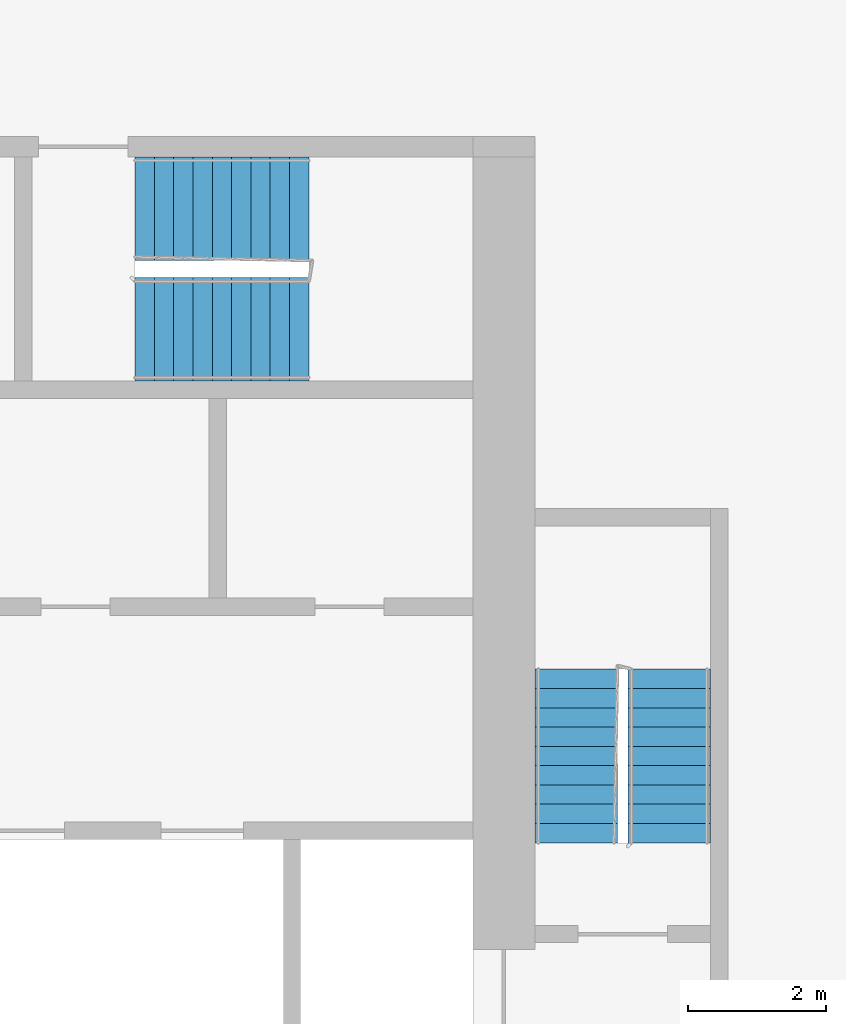
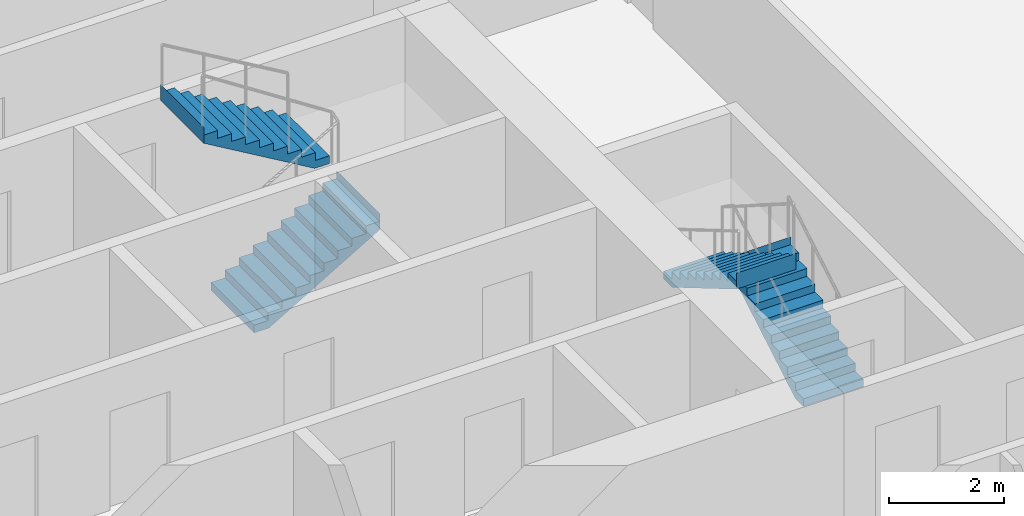
# One storey, part 10 of 11: 4 stair flights, 2 elements without a shape of their own.
"""IFC4 building model written with IfcOpenShell, lengths in metres."""

from ifc_helpers import new_model, si_unit, direction, frame, origin, place, context, subcontext, project, spatial, faceted_brep, material, type_object, element, aggregate, save


model = new_model("IFC4")

# Units and contexts
model_context = context("Model", 3, precision=1e-05, world=origin(), true_north=direction((0.0, 1.0)))
body_context = subcontext(model_context, "Body", "Model", "MODEL_VIEW")
ifc_project = project(units=[si_unit("LENGTHUNIT", "METRE"), si_unit("AREAUNIT", "SQUARE_METRE"), si_unit("VOLUMEUNIT", "CUBIC_METRE"), si_unit("PLANEANGLEUNIT", "RADIAN"), si_unit("MASSUNIT", "GRAM", prefix="KILO")], contexts=[model_context])

# Site, building, storey
site_placement = place(None, origin())
site = spatial("IfcSite", under=ifc_project, at=site_placement, CompositionType="ELEMENT")
building_placement = place(site_placement, origin())
building = spatial("IfcBuilding", under=site, at=building_placement, Name="Kajstack Hotel Tower", CompositionType="ELEMENT")
storey_placement = place(building_placement, frame((0.0, 0.0, 244.10009765625)))
storey = spatial("IfcBuildingStorey", under=building, at=storey_placement, Name="L60", CompositionType="ELEMENT", Elevation=244.10009765625)

# Stair, stair flights
ifc_material = material(Name="Concrete C40/50", Category="concrete")
stair_type_1 = type_object("IfcStairType", Name="Exit stair 1200", PredefinedType="HALF_TURN_STAIR", material=ifc_material)
stair_1_placement = place(storey_placement, origin())
stair_1 = element("IfcStair", 1, at=stair_1_placement, inside=storey, type_object=stair_type_1, Name="L60 stair E1", PredefinedType="HALF_TURN_STAIR")
stair_flight_type_1 = type_object("IfcStairFlightType", Name="Exit stair flight 1200", PredefinedType="STRAIGHT", material=ifc_material)
stair_flight_1_placement = place(storey_placement, frame((33.449951171875, 5.25, 0.0), z_axis=(0.0, 0.0, 1.0), x_axis=(0.0, 1.0, 0.0)))
stair_flight_1 = element("IfcStairFlight", 2, at=stair_flight_1_placement, type_object=stair_flight_type_1, Name="E1 flight 1", NumberOfRisers=10, NumberOfTreads=9, PredefinedType="STRAIGHT", RiserHeight=0.165, TreadLength=0.28, context=body_context, shape_type="Brep", body=[
    faceted_brep([(0.295654296875, -0.60009765625, 0.0), (2.5205078125, -0.60009765625, 1.31103515625), (2.5205078125, -0.60009765625, 1.64990234375), (2.52001953125, -0.60009765625, 1.64990234375), (2.52001953125, -0.60009765625, 1.485107421875), (2.239990234375, -0.60009765625, 1.485107421875), (2.239990234375, -0.60009765625, 1.320068359375), (1.9599609375, -0.60009765625, 1.320068359375), (1.9599609375, -0.60009765625, 1.155029296875), (1.679931640625, -0.60009765625, 1.155029296875), (1.679931640625, -0.60009765625, 0.989990234375), (1.39990234375, -0.60009765625, 0.989990234375), (1.39990234375, -0.60009765625, 0.824951171875), (1.1201171875, -0.60009765625, 0.824951171875), (1.1201171875, -0.60009765625, 0.659912109375), (0.840087890625, -0.60009765625, 0.659912109375), (0.840087890625, -0.60009765625, 0.4951171875), (0.56005859375, -0.60009765625, 0.4951171875), (0.56005859375, -0.60009765625, 0.330078125), (0.280029296875, -0.60009765625, 0.330078125), (0.280029296875, -0.60009765625, 0.1650390625), (-0.00048828125, -0.60009765625, 0.1650390625), (-0.00048828125, -0.60009765625, 0.0), (-0.00048828125, 0.60009765625, 0.0), (-0.00048828125, 0.60009765625, 0.1650390625), (0.280029296875, 0.60009765625, 0.1650390625), (0.280029296875, 0.60009765625, 0.330078125), (0.56005859375, 0.60009765625, 0.330078125), (0.56005859375, 0.60009765625, 0.4951171875), (0.840087890625, 0.60009765625, 0.4951171875), (0.840087890625, 0.60009765625, 0.659912109375), (1.1201171875, 0.60009765625, 0.659912109375), (1.1201171875, 0.60009765625, 0.824951171875), (1.39990234375, 0.60009765625, 0.824951171875), (1.39990234375, 0.60009765625, 0.989990234375), (1.679931640625, 0.60009765625, 0.989990234375), (1.679931640625, 0.60009765625, 1.155029296875), (1.9599609375, 0.60009765625, 1.155029296875), (1.9599609375, 0.60009765625, 1.320068359375), (2.239990234375, 0.60009765625, 1.320068359375), (2.239990234375, 0.60009765625, 1.485107421875), (2.52001953125, 0.60009765625, 1.485107421875), (2.52001953125, 0.60009765625, 1.64990234375), (2.5205078125, 0.60009765625, 1.64990234375), (2.5205078125, 0.60009765625, 1.31103515625), (0.295654296875, 0.60009765625, 0.0), (-0.00048828125, -0.300048828125, 0.1650390625), (-0.00048828125, 0.0, 0.1650390625), (-0.00048828125, 0.300048828125, 0.1650390625), (-0.00048828125, 0.300048828125, 0.0), (-0.00048828125, 0.0, 0.0), (-0.00048828125, -0.300048828125, 0.0), (0.280029296875, -0.300048828125, 0.1650390625), (0.280029296875, 0.0, 0.1650390625), (0.280029296875, 0.300048828125, 0.1650390625), (0.280029296875, -0.300048828125, 0.330078125), (0.280029296875, 0.0, 0.330078125), (0.280029296875, 0.300048828125, 0.330078125), (0.56005859375, -0.300048828125, 0.330078125), (0.56005859375, 0.0, 0.330078125), (0.56005859375, 0.300048828125, 0.330078125), (0.56005859375, -0.300048828125, 0.4951171875), (0.56005859375, 0.0, 0.4951171875), (0.56005859375, 0.300048828125, 0.4951171875), (0.840087890625, -0.300048828125, 0.4951171875), (0.840087890625, 0.0, 0.4951171875), (0.840087890625, 0.300048828125, 0.4951171875), (0.840087890625, -0.300048828125, 0.659912109375), (0.840087890625, 0.0, 0.659912109375), (0.840087890625, 0.300048828125, 0.659912109375), (1.1201171875, -0.300048828125, 0.659912109375), (1.1201171875, 0.0, 0.659912109375), (1.1201171875, 0.300048828125, 0.659912109375), (1.1201171875, -0.300048828125, 0.824951171875), (1.1201171875, 0.0, 0.824951171875), (1.1201171875, 0.300048828125, 0.824951171875), (1.39990234375, -0.300048828125, 0.824951171875), (1.39990234375, 0.0, 0.824951171875), (1.39990234375, 0.300048828125, 0.824951171875), (1.39990234375, -0.300048828125, 0.989990234375), (1.39990234375, 0.0, 0.989990234375), (1.39990234375, 0.300048828125, 0.989990234375), (1.679931640625, -0.300048828125, 0.989990234375), (1.679931640625, 0.0, 0.989990234375), (1.679931640625, 0.300048828125, 0.989990234375), (1.679931640625, -0.300048828125, 1.155029296875), (1.679931640625, 0.0, 1.155029296875), (1.679931640625, 0.300048828125, 1.155029296875), (1.9599609375, -0.300048828125, 1.155029296875), (1.9599609375, 0.0, 1.155029296875), (1.9599609375, 0.300048828125, 1.155029296875), (1.9599609375, -0.300048828125, 1.320068359375), (1.9599609375, 0.0, 1.320068359375), (1.9599609375, 0.300048828125, 1.320068359375), (2.239990234375, -0.300048828125, 1.320068359375), (2.239990234375, 0.0, 1.320068359375), (2.239990234375, 0.300048828125, 1.320068359375), (2.239990234375, -0.300048828125, 1.485107421875), (2.239990234375, 0.0, 1.485107421875), (2.239990234375, 0.300048828125, 1.485107421875), (2.52001953125, -0.300048828125, 1.485107421875), (2.52001953125, 0.0, 1.485107421875), (2.52001953125, 0.300048828125, 1.485107421875), (2.52001953125, -0.300048828125, 1.64990234375), (2.52001953125, 0.0, 1.64990234375), (2.52001953125, 0.300048828125, 1.64990234375), (2.5205078125, -0.300048828125, 1.64990234375), (2.5205078125, 0.0, 1.64990234375), (2.5205078125, 0.300048828125, 1.64990234375), (2.5205078125, -0.300048828125, 1.31103515625), (2.5205078125, 0.0, 1.31103515625), (2.5205078125, 0.300048828125, 1.31103515625), (0.295654296875, -0.300048828125, 0.0), (0.295654296875, 0.0, 0.0), (0.295654296875, 0.300048828125, 0.0)], [[[0, 1, 2, 3, 4, 5, 6, 7, 8, 9, 10, 11, 12, 13, 14, 15, 16, 17, 18, 19, 20, 21, 22]], [[23, 24, 25, 26, 27, 28, 29, 30, 31, 32, 33, 34, 35, 36, 37, 38, 39, 40, 41, 42, 43, 44, 45]], [[21, 46, 47, 48, 24, 23, 49, 50, 51, 22]], [[20, 52, 53, 54, 25, 24, 48, 47, 46, 21]], [[19, 55, 56, 57, 26, 25, 54, 53, 52, 20]], [[18, 58, 59, 60, 27, 26, 57, 56, 55, 19]], [[17, 61, 62, 63, 28, 27, 60, 59, 58, 18]], [[16, 64, 65, 66, 29, 28, 63, 62, 61, 17]], [[15, 67, 68, 69, 30, 29, 66, 65, 64, 16]], [[14, 70, 71, 72, 31, 30, 69, 68, 67, 15]], [[13, 73, 74, 75, 32, 31, 72, 71, 70, 14]], [[12, 76, 77, 78, 33, 32, 75, 74, 73, 13]], [[11, 79, 80, 81, 34, 33, 78, 77, 76, 12]], [[10, 82, 83, 84, 35, 34, 81, 80, 79, 11]], [[9, 85, 86, 87, 36, 35, 84, 83, 82, 10]], [[8, 88, 89, 90, 37, 36, 87, 86, 85, 9]], [[7, 91, 92, 93, 38, 37, 90, 89, 88, 8]], [[6, 94, 95, 96, 39, 38, 93, 92, 91, 7]], [[5, 97, 98, 99, 40, 39, 96, 95, 94, 6]], [[4, 100, 101, 102, 41, 40, 99, 98, 97, 5]], [[3, 103, 104, 105, 42, 41, 102, 101, 100, 4]], [[2, 106, 107, 108, 43, 42, 105, 104, 103, 3]], [[1, 109, 110, 111, 44, 43, 108, 107, 106, 2]], [[0, 112, 113, 114, 45, 44, 111, 110, 109, 1]], [[22, 51, 50, 49, 23, 45, 114, 113, 112, 0]]]),
])
stair_flight_2_placement = place(storey_placement, frame((32.10009765625, 7.77001953125, 1.64990234375), z_axis=(0.0, 0.0, 1.0), x_axis=(0.0, -1.0, 0.0)))
stair_flight_2 = element("IfcStairFlight", 3, at=stair_flight_2_placement, type_object=stair_flight_type_1, Name="E1 flight 2", NumberOfRisers=10, NumberOfTreads=9, PredefinedType="STRAIGHT", RiserHeight=0.165, TreadLength=0.28, context=body_context, shape_type="Brep", body=[
    faceted_brep([(0.295654296875, -0.60009765625, 0.0), (2.5205078125, -0.60009765625, 1.31103515625), (2.5205078125, -0.60009765625, 1.64990234375), (2.52001953125, -0.60009765625, 1.64990234375), (2.52001953125, -0.60009765625, 1.485107421875), (2.239990234375, -0.60009765625, 1.485107421875), (2.239990234375, -0.60009765625, 1.320068359375), (1.9599609375, -0.60009765625, 1.320068359375), (1.9599609375, -0.60009765625, 1.155029296875), (1.679931640625, -0.60009765625, 1.155029296875), (1.679931640625, -0.60009765625, 0.989990234375), (1.39990234375, -0.60009765625, 0.989990234375), (1.39990234375, -0.60009765625, 0.824951171875), (1.1201171875, -0.60009765625, 0.824951171875), (1.1201171875, -0.60009765625, 0.659912109375), (0.840087890625, -0.60009765625, 0.659912109375), (0.840087890625, -0.60009765625, 0.4951171875), (0.56005859375, -0.60009765625, 0.4951171875), (0.56005859375, -0.60009765625, 0.330078125), (0.280029296875, -0.60009765625, 0.330078125), (0.280029296875, -0.60009765625, 0.1650390625), (-0.00048828125, -0.60009765625, 0.1650390625), (-0.00048828125, -0.60009765625, 0.0), (-0.00048828125, 0.60009765625, 0.0), (-0.00048828125, 0.60009765625, 0.1650390625), (0.280029296875, 0.60009765625, 0.1650390625), (0.280029296875, 0.60009765625, 0.330078125), (0.56005859375, 0.60009765625, 0.330078125), (0.56005859375, 0.60009765625, 0.4951171875), (0.840087890625, 0.60009765625, 0.4951171875), (0.840087890625, 0.60009765625, 0.659912109375), (1.1201171875, 0.60009765625, 0.659912109375), (1.1201171875, 0.60009765625, 0.824951171875), (1.39990234375, 0.60009765625, 0.824951171875), (1.39990234375, 0.60009765625, 0.989990234375), (1.679931640625, 0.60009765625, 0.989990234375), (1.679931640625, 0.60009765625, 1.155029296875), (1.9599609375, 0.60009765625, 1.155029296875), (1.9599609375, 0.60009765625, 1.320068359375), (2.239990234375, 0.60009765625, 1.320068359375), (2.239990234375, 0.60009765625, 1.485107421875), (2.52001953125, 0.60009765625, 1.485107421875), (2.52001953125, 0.60009765625, 1.64990234375), (2.5205078125, 0.60009765625, 1.64990234375), (2.5205078125, 0.60009765625, 1.31103515625), (0.295654296875, 0.60009765625, 0.0), (-0.00048828125, -0.300048828125, 0.1650390625), (-0.00048828125, 0.0, 0.1650390625), (-0.00048828125, 0.300048828125, 0.1650390625), (-0.00048828125, 0.300048828125, 0.0), (-0.00048828125, 0.0, 0.0), (-0.00048828125, -0.300048828125, 0.0), (0.280029296875, -0.300048828125, 0.1650390625), (0.280029296875, 0.0, 0.1650390625), (0.280029296875, 0.300048828125, 0.1650390625), (0.280029296875, -0.300048828125, 0.330078125), (0.280029296875, 0.0, 0.330078125), (0.280029296875, 0.300048828125, 0.330078125), (0.56005859375, -0.300048828125, 0.330078125), (0.56005859375, 0.0, 0.330078125), (0.56005859375, 0.300048828125, 0.330078125), (0.56005859375, -0.300048828125, 0.4951171875), (0.56005859375, 0.0, 0.4951171875), (0.56005859375, 0.300048828125, 0.4951171875), (0.840087890625, -0.300048828125, 0.4951171875), (0.840087890625, 0.0, 0.4951171875), (0.840087890625, 0.300048828125, 0.4951171875), (0.840087890625, -0.300048828125, 0.659912109375), (0.840087890625, 0.0, 0.659912109375), (0.840087890625, 0.300048828125, 0.659912109375), (1.1201171875, -0.300048828125, 0.659912109375), (1.1201171875, 0.0, 0.659912109375), (1.1201171875, 0.300048828125, 0.659912109375), (1.1201171875, -0.300048828125, 0.824951171875), (1.1201171875, 0.0, 0.824951171875), (1.1201171875, 0.300048828125, 0.824951171875), (1.39990234375, -0.300048828125, 0.824951171875), (1.39990234375, 0.0, 0.824951171875), (1.39990234375, 0.300048828125, 0.824951171875), (1.39990234375, -0.300048828125, 0.989990234375), (1.39990234375, 0.0, 0.989990234375), (1.39990234375, 0.300048828125, 0.989990234375), (1.679931640625, -0.300048828125, 0.989990234375), (1.679931640625, 0.0, 0.989990234375), (1.679931640625, 0.300048828125, 0.989990234375), (1.679931640625, -0.300048828125, 1.155029296875), (1.679931640625, 0.0, 1.155029296875), (1.679931640625, 0.300048828125, 1.155029296875), (1.9599609375, -0.300048828125, 1.155029296875), (1.9599609375, 0.0, 1.155029296875), (1.9599609375, 0.300048828125, 1.155029296875), (1.9599609375, -0.300048828125, 1.320068359375), (1.9599609375, 0.0, 1.320068359375), (1.9599609375, 0.300048828125, 1.320068359375), (2.239990234375, -0.300048828125, 1.320068359375), (2.239990234375, 0.0, 1.320068359375), (2.239990234375, 0.300048828125, 1.320068359375), (2.239990234375, -0.300048828125, 1.485107421875), (2.239990234375, 0.0, 1.485107421875), (2.239990234375, 0.300048828125, 1.485107421875), (2.52001953125, -0.300048828125, 1.485107421875), (2.52001953125, 0.0, 1.485107421875), (2.52001953125, 0.300048828125, 1.485107421875), (2.52001953125, -0.300048828125, 1.64990234375), (2.52001953125, 0.0, 1.64990234375), (2.52001953125, 0.300048828125, 1.64990234375), (2.5205078125, -0.300048828125, 1.64990234375), (2.5205078125, 0.0, 1.64990234375), (2.5205078125, 0.300048828125, 1.64990234375), (2.5205078125, -0.300048828125, 1.31103515625), (2.5205078125, 0.0, 1.31103515625), (2.5205078125, 0.300048828125, 1.31103515625), (0.295654296875, -0.300048828125, 0.0), (0.295654296875, 0.0, 0.0), (0.295654296875, 0.300048828125, 0.0)], [[[0, 1, 2, 3, 4, 5, 6, 7, 8, 9, 10, 11, 12, 13, 14, 15, 16, 17, 18, 19, 20, 21, 22]], [[23, 24, 25, 26, 27, 28, 29, 30, 31, 32, 33, 34, 35, 36, 37, 38, 39, 40, 41, 42, 43, 44, 45]], [[21, 46, 47, 48, 24, 23, 49, 50, 51, 22]], [[20, 52, 53, 54, 25, 24, 48, 47, 46, 21]], [[19, 55, 56, 57, 26, 25, 54, 53, 52, 20]], [[18, 58, 59, 60, 27, 26, 57, 56, 55, 19]], [[17, 61, 62, 63, 28, 27, 60, 59, 58, 18]], [[16, 64, 65, 66, 29, 28, 63, 62, 61, 17]], [[15, 67, 68, 69, 30, 29, 66, 65, 64, 16]], [[14, 70, 71, 72, 31, 30, 69, 68, 67, 15]], [[13, 73, 74, 75, 32, 31, 72, 71, 70, 14]], [[12, 76, 77, 78, 33, 32, 75, 74, 73, 13]], [[11, 79, 80, 81, 34, 33, 78, 77, 76, 12]], [[10, 82, 83, 84, 35, 34, 81, 80, 79, 11]], [[9, 85, 86, 87, 36, 35, 84, 83, 82, 10]], [[8, 88, 89, 90, 37, 36, 87, 86, 85, 9]], [[7, 91, 92, 93, 38, 37, 90, 89, 88, 8]], [[6, 94, 95, 96, 39, 38, 93, 92, 91, 7]], [[5, 97, 98, 99, 40, 39, 96, 95, 94, 6]], [[4, 100, 101, 102, 41, 40, 99, 98, 97, 5]], [[3, 103, 104, 105, 42, 41, 102, 101, 100, 4]], [[2, 106, 107, 108, 43, 42, 105, 104, 103, 3]], [[1, 109, 110, 111, 44, 43, 108, 107, 106, 2]], [[0, 112, 113, 114, 45, 44, 111, 110, 109, 1]], [[22, 51, 50, 49, 23, 45, 114, 113, 112, 0]]]),
])
aggregate(stair_1, [stair_flight_1, stair_flight_2])

stair_type_2 = type_object("IfcStairType", Name="Exit stair 1500", PredefinedType="HALF_TURN_STAIR", material=ifc_material)
stair_2_placement = place(storey_placement, origin())
stair_2 = element("IfcStair", 4, at=stair_2_placement, inside=storey, type_object=stair_type_2, Name="L60 stair E3", PredefinedType="HALF_TURN_STAIR")
stair_flight_type_2 = type_object("IfcStairFlightType", Name="Exit stair flight 1500", PredefinedType="STRAIGHT", material=ifc_material)
stair_flight_3_placement = place(storey_placement, frame((25.699951171875, 12.699951171875, 0.0), z_axis=(0.0, 0.0, 1.0), x_axis=(1.0, 0.0, 0.0)))
stair_flight_3 = element("IfcStairFlight", 5, at=stair_flight_3_placement, type_object=stair_flight_type_2, Name="E3 flight 1", NumberOfRisers=10, NumberOfTreads=9, PredefinedType="STRAIGHT", RiserHeight=0.165, TreadLength=0.28, context=body_context, shape_type="Brep", body=[
    faceted_brep([(0.295654296875, -0.75, 0.0), (2.5205078125, -0.75, 1.31103515625), (2.5205078125, -0.75, 1.64990234375), (2.52001953125, -0.75, 1.64990234375), (2.52001953125, -0.75, 1.485107421875), (2.239990234375, -0.75, 1.485107421875), (2.239990234375, -0.75, 1.320068359375), (1.9599609375, -0.75, 1.320068359375), (1.9599609375, -0.75, 1.155029296875), (1.679931640625, -0.75, 1.155029296875), (1.679931640625, -0.75, 0.989990234375), (1.39990234375, -0.75, 0.989990234375), (1.39990234375, -0.75, 0.824951171875), (1.1201171875, -0.75, 0.824951171875), (1.1201171875, -0.75, 0.659912109375), (0.840087890625, -0.75, 0.659912109375), (0.840087890625, -0.75, 0.4951171875), (0.56005859375, -0.75, 0.4951171875), (0.56005859375, -0.75, 0.330078125), (0.280029296875, -0.75, 0.330078125), (0.280029296875, -0.75, 0.1650390625), (-0.00048828125, -0.75, 0.1650390625), (-0.00048828125, -0.75, 0.0), (-0.00048828125, 0.75, 0.0), (-0.00048828125, 0.75, 0.1650390625), (0.280029296875, 0.75, 0.1650390625), (0.280029296875, 0.75, 0.330078125), (0.56005859375, 0.75, 0.330078125), (0.56005859375, 0.75, 0.4951171875), (0.840087890625, 0.75, 0.4951171875), (0.840087890625, 0.75, 0.659912109375), (1.1201171875, 0.75, 0.659912109375), (1.1201171875, 0.75, 0.824951171875), (1.39990234375, 0.75, 0.824951171875), (1.39990234375, 0.75, 0.989990234375), (1.679931640625, 0.75, 0.989990234375), (1.679931640625, 0.75, 1.155029296875), (1.9599609375, 0.75, 1.155029296875), (1.9599609375, 0.75, 1.320068359375), (2.239990234375, 0.75, 1.320068359375), (2.239990234375, 0.75, 1.485107421875), (2.52001953125, 0.75, 1.485107421875), (2.52001953125, 0.75, 1.64990234375), (2.5205078125, 0.75, 1.64990234375), (2.5205078125, 0.75, 1.31103515625), (0.295654296875, 0.75, 0.0), (-0.00048828125, -0.375, 0.1650390625), (-0.00048828125, 0.0, 0.1650390625), (-0.00048828125, 0.375, 0.1650390625), (-0.00048828125, 0.375, 0.0), (-0.00048828125, 0.0, 0.0), (-0.00048828125, -0.375, 0.0), (0.280029296875, -0.375, 0.1650390625), (0.280029296875, 0.0, 0.1650390625), (0.280029296875, 0.375, 0.1650390625), (0.280029296875, -0.375, 0.330078125), (0.280029296875, 0.0, 0.330078125), (0.280029296875, 0.375, 0.330078125), (0.56005859375, -0.375, 0.330078125), (0.56005859375, 0.0, 0.330078125), (0.56005859375, 0.375, 0.330078125), (0.56005859375, -0.375, 0.4951171875), (0.56005859375, 0.0, 0.4951171875), (0.56005859375, 0.375, 0.4951171875), (0.840087890625, -0.375, 0.4951171875), (0.840087890625, 0.0, 0.4951171875), (0.840087890625, 0.375, 0.4951171875), (0.840087890625, -0.375, 0.659912109375), (0.840087890625, 0.0, 0.659912109375), (0.840087890625, 0.375, 0.659912109375), (1.1201171875, -0.375, 0.659912109375), (1.1201171875, 0.0, 0.659912109375), (1.1201171875, 0.375, 0.659912109375), (1.1201171875, -0.375, 0.824951171875), (1.1201171875, 0.0, 0.824951171875), (1.1201171875, 0.375, 0.824951171875), (1.39990234375, -0.375, 0.824951171875), (1.39990234375, 0.0, 0.824951171875), (1.39990234375, 0.375, 0.824951171875), (1.39990234375, -0.375, 0.989990234375), (1.39990234375, 0.0, 0.989990234375), (1.39990234375, 0.375, 0.989990234375), (1.679931640625, -0.375, 0.989990234375), (1.679931640625, 0.0, 0.989990234375), (1.679931640625, 0.375, 0.989990234375), (1.679931640625, -0.375, 1.155029296875), (1.679931640625, 0.0, 1.155029296875), (1.679931640625, 0.375, 1.155029296875), (1.9599609375, -0.375, 1.155029296875), (1.9599609375, 0.0, 1.155029296875), (1.9599609375, 0.375, 1.155029296875), (1.9599609375, -0.375, 1.320068359375), (1.9599609375, 0.0, 1.320068359375), (1.9599609375, 0.375, 1.320068359375), (2.239990234375, -0.375, 1.320068359375), (2.239990234375, 0.0, 1.320068359375), (2.239990234375, 0.375, 1.320068359375), (2.239990234375, -0.375, 1.485107421875), (2.239990234375, 0.0, 1.485107421875), (2.239990234375, 0.375, 1.485107421875), (2.52001953125, -0.375, 1.485107421875), (2.52001953125, 0.0, 1.485107421875), (2.52001953125, 0.375, 1.485107421875), (2.52001953125, -0.375, 1.64990234375), (2.52001953125, 0.0, 1.64990234375), (2.52001953125, 0.375, 1.64990234375), (2.5205078125, -0.375, 1.64990234375), (2.5205078125, 0.0, 1.64990234375), (2.5205078125, 0.375, 1.64990234375), (2.5205078125, -0.375, 1.31103515625), (2.5205078125, 0.0, 1.31103515625), (2.5205078125, 0.375, 1.31103515625), (0.295654296875, -0.375, 0.0), (0.295654296875, 0.0, 0.0), (0.295654296875, 0.375, 0.0)], [[[0, 1, 2, 3, 4, 5, 6, 7, 8, 9, 10, 11, 12, 13, 14, 15, 16, 17, 18, 19, 20, 21, 22]], [[23, 24, 25, 26, 27, 28, 29, 30, 31, 32, 33, 34, 35, 36, 37, 38, 39, 40, 41, 42, 43, 44, 45]], [[21, 46, 47, 48, 24, 23, 49, 50, 51, 22]], [[20, 52, 53, 54, 25, 24, 48, 47, 46, 21]], [[19, 55, 56, 57, 26, 25, 54, 53, 52, 20]], [[18, 58, 59, 60, 27, 26, 57, 56, 55, 19]], [[17, 61, 62, 63, 28, 27, 60, 59, 58, 18]], [[16, 64, 65, 66, 29, 28, 63, 62, 61, 17]], [[15, 67, 68, 69, 30, 29, 66, 65, 64, 16]], [[14, 70, 71, 72, 31, 30, 69, 68, 67, 15]], [[13, 73, 74, 75, 32, 31, 72, 71, 70, 14]], [[12, 76, 77, 78, 33, 32, 75, 74, 73, 13]], [[11, 79, 80, 81, 34, 33, 78, 77, 76, 12]], [[10, 82, 83, 84, 35, 34, 81, 80, 79, 11]], [[9, 85, 86, 87, 36, 35, 84, 83, 82, 10]], [[8, 88, 89, 90, 37, 36, 87, 86, 85, 9]], [[7, 91, 92, 93, 38, 37, 90, 89, 88, 8]], [[6, 94, 95, 96, 39, 38, 93, 92, 91, 7]], [[5, 97, 98, 99, 40, 39, 96, 95, 94, 6]], [[4, 100, 101, 102, 41, 40, 99, 98, 97, 5]], [[3, 103, 104, 105, 42, 41, 102, 101, 100, 4]], [[2, 106, 107, 108, 43, 42, 105, 104, 103, 3]], [[1, 109, 110, 111, 44, 43, 108, 107, 106, 2]], [[0, 112, 113, 114, 45, 44, 111, 110, 109, 1]], [[22, 51, 50, 49, 23, 45, 114, 113, 112, 0]]]),
])
stair_flight_4_placement = place(storey_placement, frame((28.219970703125, 14.449951171875, 1.64990234375), z_axis=(0.0, 0.0, 1.0), x_axis=(-1.0, 0.0, 0.0)))
stair_flight_4 = element("IfcStairFlight", 6, at=stair_flight_4_placement, type_object=stair_flight_type_2, Name="E3 flight 2", NumberOfRisers=10, NumberOfTreads=9, PredefinedType="STRAIGHT", RiserHeight=0.165, TreadLength=0.28, context=body_context, shape_type="Brep", body=[
    faceted_brep([(0.295654296875, -0.75, 0.0), (2.5205078125, -0.75, 1.31103515625), (2.5205078125, -0.75, 1.64990234375), (2.52001953125, -0.75, 1.64990234375), (2.52001953125, -0.75, 1.485107421875), (2.239990234375, -0.75, 1.485107421875), (2.239990234375, -0.75, 1.320068359375), (1.9599609375, -0.75, 1.320068359375), (1.9599609375, -0.75, 1.155029296875), (1.679931640625, -0.75, 1.155029296875), (1.679931640625, -0.75, 0.989990234375), (1.39990234375, -0.75, 0.989990234375), (1.39990234375, -0.75, 0.824951171875), (1.1201171875, -0.75, 0.824951171875), (1.1201171875, -0.75, 0.659912109375), (0.840087890625, -0.75, 0.659912109375), (0.840087890625, -0.75, 0.4951171875), (0.56005859375, -0.75, 0.4951171875), (0.56005859375, -0.75, 0.330078125), (0.280029296875, -0.75, 0.330078125), (0.280029296875, -0.75, 0.1650390625), (-0.00048828125, -0.75, 0.1650390625), (-0.00048828125, -0.75, 0.0), (-0.00048828125, 0.75, 0.0), (-0.00048828125, 0.75, 0.1650390625), (0.280029296875, 0.75, 0.1650390625), (0.280029296875, 0.75, 0.330078125), (0.56005859375, 0.75, 0.330078125), (0.56005859375, 0.75, 0.4951171875), (0.840087890625, 0.75, 0.4951171875), (0.840087890625, 0.75, 0.659912109375), (1.1201171875, 0.75, 0.659912109375), (1.1201171875, 0.75, 0.824951171875), (1.39990234375, 0.75, 0.824951171875), (1.39990234375, 0.75, 0.989990234375), (1.679931640625, 0.75, 0.989990234375), (1.679931640625, 0.75, 1.155029296875), (1.9599609375, 0.75, 1.155029296875), (1.9599609375, 0.75, 1.320068359375), (2.239990234375, 0.75, 1.320068359375), (2.239990234375, 0.75, 1.485107421875), (2.52001953125, 0.75, 1.485107421875), (2.52001953125, 0.75, 1.64990234375), (2.5205078125, 0.75, 1.64990234375), (2.5205078125, 0.75, 1.31103515625), (0.295654296875, 0.75, 0.0), (-0.00048828125, -0.375, 0.1650390625), (-0.00048828125, 0.0, 0.1650390625), (-0.00048828125, 0.375, 0.1650390625), (-0.00048828125, 0.375, 0.0), (-0.00048828125, 0.0, 0.0), (-0.00048828125, -0.375, 0.0), (0.280029296875, -0.375, 0.1650390625), (0.280029296875, 0.0, 0.1650390625), (0.280029296875, 0.375, 0.1650390625), (0.280029296875, -0.375, 0.330078125), (0.280029296875, 0.0, 0.330078125), (0.280029296875, 0.375, 0.330078125), (0.56005859375, -0.375, 0.330078125), (0.56005859375, 0.0, 0.330078125), (0.56005859375, 0.375, 0.330078125), (0.56005859375, -0.375, 0.4951171875), (0.56005859375, 0.0, 0.4951171875), (0.56005859375, 0.375, 0.4951171875), (0.840087890625, -0.375, 0.4951171875), (0.840087890625, 0.0, 0.4951171875), (0.840087890625, 0.375, 0.4951171875), (0.840087890625, -0.375, 0.659912109375), (0.840087890625, 0.0, 0.659912109375), (0.840087890625, 0.375, 0.659912109375), (1.1201171875, -0.375, 0.659912109375), (1.1201171875, 0.0, 0.659912109375), (1.1201171875, 0.375, 0.659912109375), (1.1201171875, -0.375, 0.824951171875), (1.1201171875, 0.0, 0.824951171875), (1.1201171875, 0.375, 0.824951171875), (1.39990234375, -0.375, 0.824951171875), (1.39990234375, 0.0, 0.824951171875), (1.39990234375, 0.375, 0.824951171875), (1.39990234375, -0.375, 0.989990234375), (1.39990234375, 0.0, 0.989990234375), (1.39990234375, 0.375, 0.989990234375), (1.679931640625, -0.375, 0.989990234375), (1.679931640625, 0.0, 0.989990234375), (1.679931640625, 0.375, 0.989990234375), (1.679931640625, -0.375, 1.155029296875), (1.679931640625, 0.0, 1.155029296875), (1.679931640625, 0.375, 1.155029296875), (1.9599609375, -0.375, 1.155029296875), (1.9599609375, 0.0, 1.155029296875), (1.9599609375, 0.375, 1.155029296875), (1.9599609375, -0.375, 1.320068359375), (1.9599609375, 0.0, 1.320068359375), (1.9599609375, 0.375, 1.320068359375), (2.239990234375, -0.375, 1.320068359375), (2.239990234375, 0.0, 1.320068359375), (2.239990234375, 0.375, 1.320068359375), (2.239990234375, -0.375, 1.485107421875), (2.239990234375, 0.0, 1.485107421875), (2.239990234375, 0.375, 1.485107421875), (2.52001953125, -0.375, 1.485107421875), (2.52001953125, 0.0, 1.485107421875), (2.52001953125, 0.375, 1.485107421875), (2.52001953125, -0.375, 1.64990234375), (2.52001953125, 0.0, 1.64990234375), (2.52001953125, 0.375, 1.64990234375), (2.5205078125, -0.375, 1.64990234375), (2.5205078125, 0.0, 1.64990234375), (2.5205078125, 0.375, 1.64990234375), (2.5205078125, -0.375, 1.31103515625), (2.5205078125, 0.0, 1.31103515625), (2.5205078125, 0.375, 1.31103515625), (0.295654296875, -0.375, 0.0), (0.295654296875, 0.0, 0.0), (0.295654296875, 0.375, 0.0)], [[[0, 1, 2, 3, 4, 5, 6, 7, 8, 9, 10, 11, 12, 13, 14, 15, 16, 17, 18, 19, 20, 21, 22]], [[23, 24, 25, 26, 27, 28, 29, 30, 31, 32, 33, 34, 35, 36, 37, 38, 39, 40, 41, 42, 43, 44, 45]], [[21, 46, 47, 48, 24, 23, 49, 50, 51, 22]], [[20, 52, 53, 54, 25, 24, 48, 47, 46, 21]], [[19, 55, 56, 57, 26, 25, 54, 53, 52, 20]], [[18, 58, 59, 60, 27, 26, 57, 56, 55, 19]], [[17, 61, 62, 63, 28, 27, 60, 59, 58, 18]], [[16, 64, 65, 66, 29, 28, 63, 62, 61, 17]], [[15, 67, 68, 69, 30, 29, 66, 65, 64, 16]], [[14, 70, 71, 72, 31, 30, 69, 68, 67, 15]], [[13, 73, 74, 75, 32, 31, 72, 71, 70, 14]], [[12, 76, 77, 78, 33, 32, 75, 74, 73, 13]], [[11, 79, 80, 81, 34, 33, 78, 77, 76, 12]], [[10, 82, 83, 84, 35, 34, 81, 80, 79, 11]], [[9, 85, 86, 87, 36, 35, 84, 83, 82, 10]], [[8, 88, 89, 90, 37, 36, 87, 86, 85, 9]], [[7, 91, 92, 93, 38, 37, 90, 89, 88, 8]], [[6, 94, 95, 96, 39, 38, 93, 92, 91, 7]], [[5, 97, 98, 99, 40, 39, 96, 95, 94, 6]], [[4, 100, 101, 102, 41, 40, 99, 98, 97, 5]], [[3, 103, 104, 105, 42, 41, 102, 101, 100, 4]], [[2, 106, 107, 108, 43, 42, 105, 104, 103, 3]], [[1, 109, 110, 111, 44, 43, 108, 107, 106, 2]], [[0, 112, 113, 114, 45, 44, 111, 110, 109, 1]], [[22, 51, 50, 49, 23, 45, 114, 113, 112, 0]]]),
])
aggregate(stair_2, [stair_flight_3, stair_flight_4])

save(model, "model.ifc")
